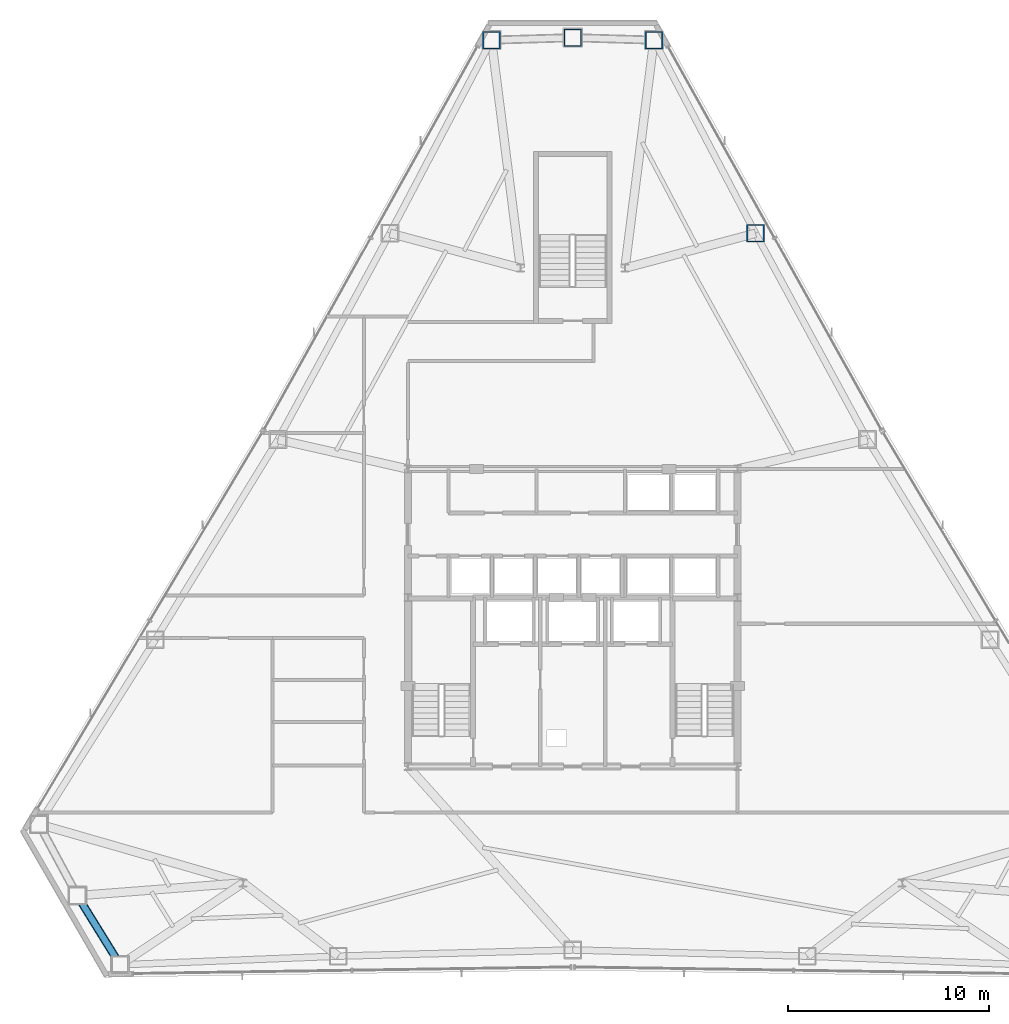
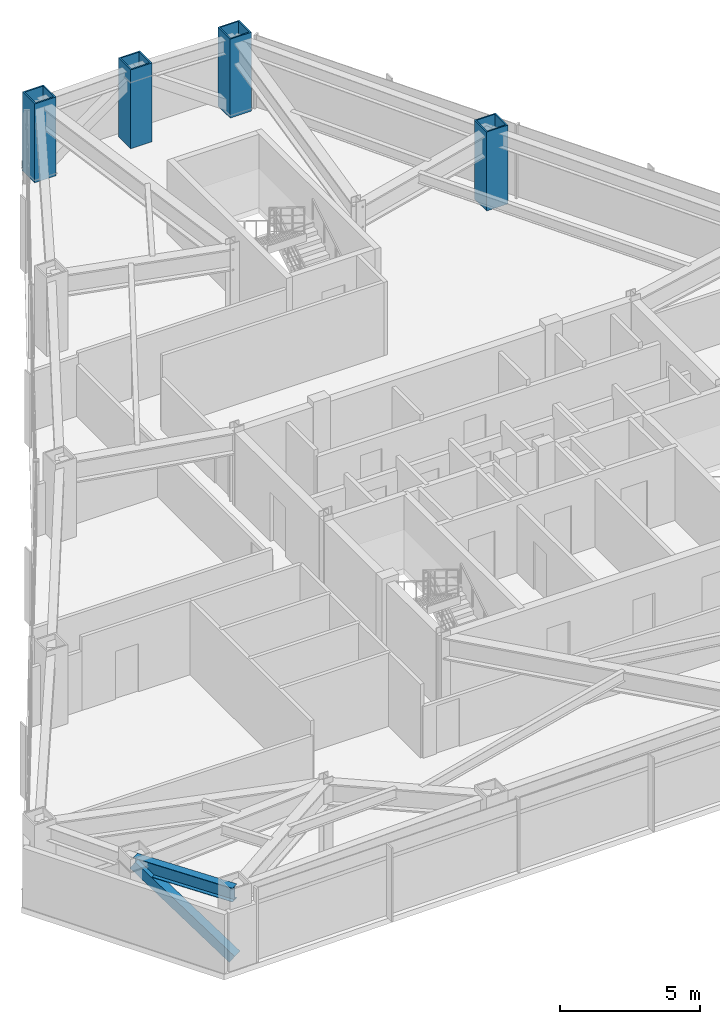
# One storey, part 3 of 11: 4 columns, 1 beam, 1 member.
"""IFC4 building model written with IfcOpenShell, lengths in metres."""

from ifc_helpers import new_model, si_unit, direction, frame, origin, origin_2d, place, context, subcontext, project, spatial, hollow_rectangle, i_section, extrude, source, transform, mapped, material, material_profile, profile_set, type_object, type_shapes, element, save


model = new_model("IFC4")

# Units and contexts
model_context = context("Model", 3, precision=1e-05, world=origin(), true_north=direction((0.0, 1.0)))
body_context = subcontext(model_context, "Body", "Model", "MODEL_VIEW")
ifc_project = project(units=[si_unit("LENGTHUNIT", "METRE"), si_unit("AREAUNIT", "SQUARE_METRE"), si_unit("VOLUMEUNIT", "CUBIC_METRE"), si_unit("PLANEANGLEUNIT", "RADIAN"), si_unit("MASSUNIT", "GRAM", prefix="KILO")], contexts=[model_context])

# Site, building, storey
site_placement = place(None, origin())
site = spatial("IfcSite", under=ifc_project, at=site_placement, CompositionType="ELEMENT")
building_placement = place(site_placement, origin())
building = spatial("IfcBuilding", under=site, at=building_placement, Name="Varakhsha Concourse Tower", CompositionType="ELEMENT")
storey_placement = place(building_placement, frame((0.0, 0.0, 140.14990234375)))
storey = spatial("IfcBuildingStorey", under=building, at=storey_placement, Name="L40", CompositionType="ELEMENT", Elevation=140.14990234375)

# Columns
ifc_material_1 = material(Name="Structural Steel ASTM A572 Grade 50", Category="steel")
ifc_material_profile_1 = material_profile(ifc_material_1, hollow_rectangle(XDim=0.8798828125, YDim=0.8798828125, WallThickness=0.06005859375, at=origin_2d()), Name="BOX 880x880x60")
ifc_profile_set_1 = profile_set([ifc_material_profile_1], Name="Structural Steel ASTM A572 Grade 50")
column_type = type_object("IfcColumnType", Name="CL-TUBE-880", PredefinedType="COLUMN", material=ifc_profile_set_1)
for number, where, z_axis, x_axis, name in (
    (1, (44.042724609375, 52.54833984375, 0.0), (0.0, 0.0, 1.0), (1.0, 0.0, 0.0), "L40 Framed-Tube Column TC01"),
    (2, (40.0, 52.670166015625, 0.0), (0.0, 0.0, 1.0), (1.0, 0.0, 0.0), "L40 Framed-Tube Column TC02"),
    (3, (35.957275390625, 52.54833984375, 0.0), (0.0, 0.0, 1.0), (1.0, 0.0, 0.0), "L40 Framed-Tube Column TC03"),
    (4, (49.09619140625, 42.933837890625, 0.0), (0.0, 0.0, 1.0), (1.0, 0.0, 0.0), "L40 Framed-Tube Column TC18"),
):
    element("IfcColumn", number, at=place(storey_placement, frame(where, z_axis=z_axis, x_axis=x_axis)), inside=storey, type_object=column_type, Name=name, PredefinedType="COLUMN", context=body_context, shape_type="SweptSolid", body=[
        extrude(hollow_rectangle(XDim=0.8798828125, YDim=0.8798828125, WallThickness=0.06005859375, at=origin_2d()), origin(), (0.0, 0.0, 1.0), 3.4501953125),
    ])

# Beam
ifc_material_2 = material(Name="Structural Steel ASTM A992 Grade 50", Category="steel")
ifc_material_profile_2 = material_profile(ifc_material_2, i_section(OverallWidth=0.323974609375, OverallDepth=0.611083984375, WebThickness=0.012939453125, FlangeThickness=0.01904296875, at=origin_2d()), Name="W24X104")
ifc_profile_set_2 = profile_set([ifc_material_profile_2], Name="Structural Steel ASTM A992 Grade 50")
beam_type = type_object("IfcBeamType", Name="BM-SPAN-W24X104", PredefinedType="SPANDREL", material=ifc_profile_set_2)
beam_placement = place(storey_placement, frame((15.34423828125, 9.96484375, 2.904541015625), z_axis=(0.525874503709, -0.850562170772, 0.0), x_axis=(0.850562170772, 0.525874503709, 0.0)))
element("IfcBeam", 5, at=beam_placement, inside=storey, type_object=beam_type, Name="BM-SPAN-L40-08", PredefinedType="SPANDREL", context=body_context, shape_type="SweptSolid", body=[
    extrude(i_section(OverallWidth=0.323974609375, OverallDepth=0.611083984375, WebThickness=0.012939453125, FlangeThickness=0.01904296875, at=origin_2d()), origin(), (0.0, 0.0, 1.0), 4.044677734375),
])

# Member
ifc_material_3 = material(Name="Structural Steel ASTM A500 Grade C", Category="steel")
ifc_material_profile_3 = material_profile(ifc_material_3, hollow_rectangle(XDim=0.39990234375, YDim=0.39990234375, WallThickness=0.01611328125, at=origin_2d()), Name="HSS 400x400x16")
ifc_profile_set_3 = profile_set([ifc_material_profile_3], Name="Structural Steel ASTM A500 Grade C")
member_type = type_object("IfcMemberType", Name="MB-TUBE-HSS400", PredefinedType="BRACE", material=ifc_profile_set_3)
shared_shape = source(origin(), body_context, "Body", "SweptSolid", [
    extrude(hollow_rectangle(XDim=0.39990234375, YDim=0.39990234375, WallThickness=0.01611328125, at=origin_2d()), origin(), (0.0, 0.0, 1.0), 4.91357421875),
])
type_shapes(member_type, [shared_shape])
member_placement = place(storey_placement, frame((17.47119140625, 6.524658203125, 0.1201171875), z_axis=(-0.4328736846, 0.70014039138, 0.567823745135), x_axis=(-0.850562170772, -0.525874503709, 0.0)))
element("IfcMember", 6, at=member_placement, inside=storey, type_object=member_type, Name="L40 Wind-Corner Tube Brace B04", PredefinedType="BRACE", context=body_context, shape_type="MappedRepresentation", body=[
    mapped(shared_shape, transform((0.0, 0.0, 0.0), scale=1.0)),
])

save(model, "model.ifc")
